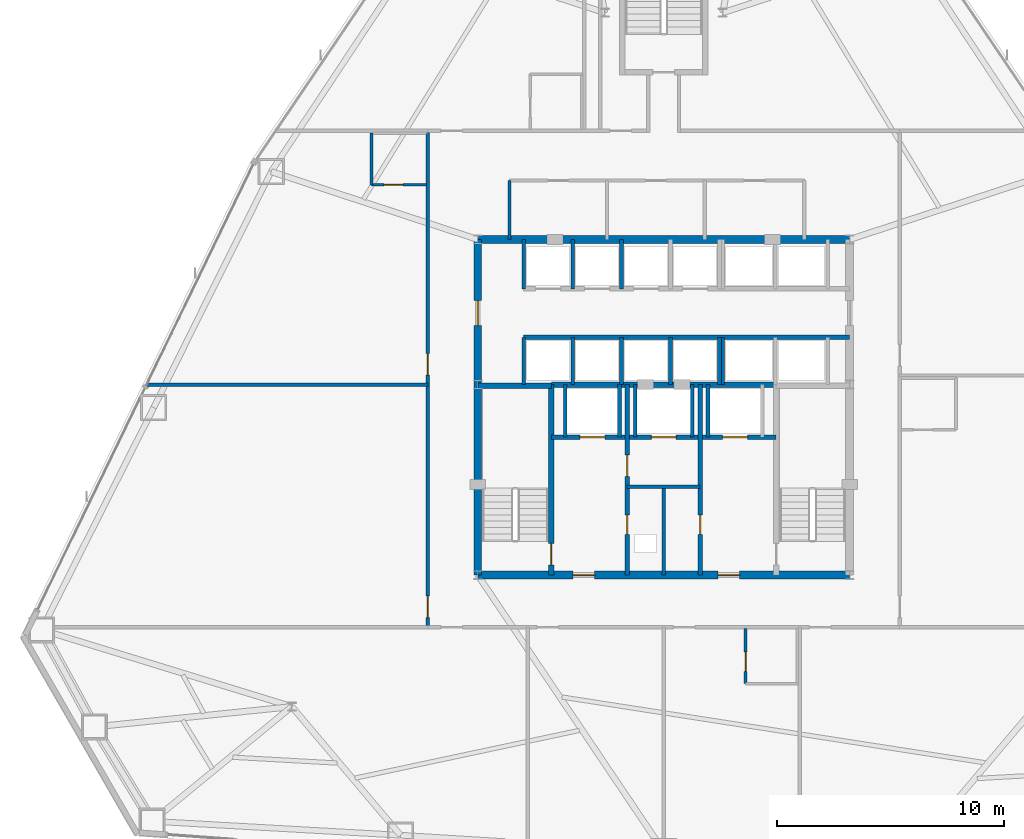
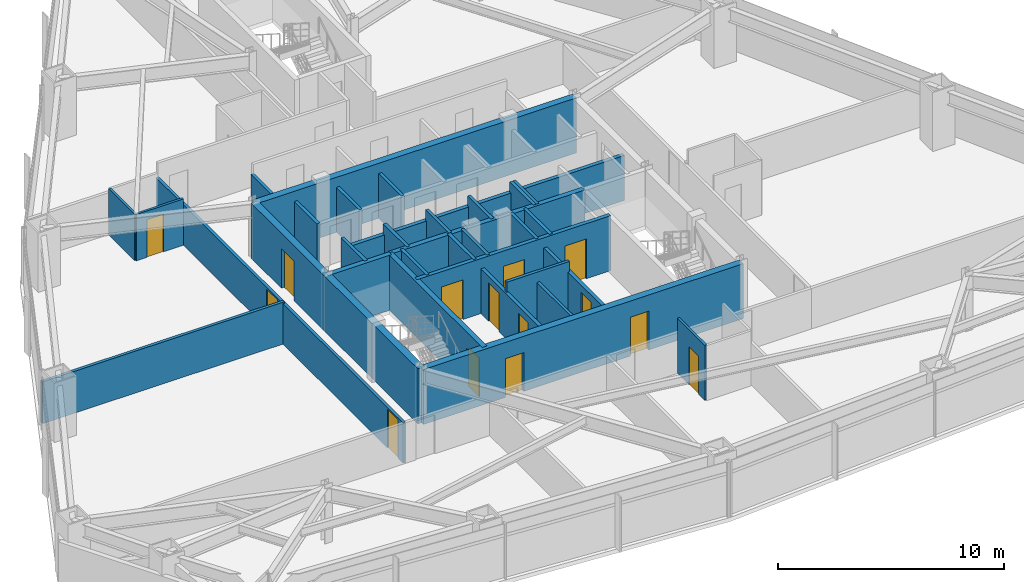
# One storey, part 9 of 12: 32 walls, 14 doors, 14 openings.
"""IFC4 building model written with IfcOpenShell, lengths in metres."""

from ifc_helpers import new_model, si_unit, direction, frame, frame_2d, origin, place, context, subcontext, project, spatial, rectangle, extrude, material, layer, layer_set, type_object, element, fill, save


model = new_model("IFC4")

# Units and contexts
model_context = context("Model", 3, precision=1e-05, world=origin(), true_north=direction((0.0, 1.0)))
body_context = subcontext(model_context, "Body", "Model", "MODEL_VIEW")
ifc_project = project(units=[si_unit("LENGTHUNIT", "METRE"), si_unit("AREAUNIT", "SQUARE_METRE"), si_unit("VOLUMEUNIT", "CUBIC_METRE"), si_unit("PLANEANGLEUNIT", "RADIAN"), si_unit("MASSUNIT", "GRAM", prefix="KILO")], contexts=[model_context])

# Site, building, storey
site_placement = place(None, origin())
site = spatial("IfcSite", under=ifc_project, at=site_placement, CompositionType="ELEMENT")
building_placement = place(site_placement, origin())
building = spatial("IfcBuilding", under=site, at=building_placement, Name="Varakhsha Concourse Tower", CompositionType="ELEMENT")
storey_placement = place(building_placement, frame((0.0, 0.0, 59.199951171875)))
storey = spatial("IfcBuildingStorey", under=building, at=storey_placement, Name="L16", CompositionType="ELEMENT", Elevation=59.199951171875)

# Wall, openings, doors
ifc_material_1 = material(Name="Concrete fc 65 MPa", Category="concrete")
ifc_layer_1 = layer(ifc_material_1, 0.35009765625, Name="WL-CORE-350")
ifc_layer_set_1 = layer_set([ifc_layer_1], Name="Concrete fc 65 MPa")
wall_type_1 = type_object("IfcWallType", Name="WL-CORE-350", PredefinedType="SHEAR", material=ifc_layer_set_1)
wall_1_placement = place(storey_placement, frame((31.800048828125, 16.39990234375, 0.0), z_axis=(0.0, 0.0, 1.0), x_axis=(1.0, 0.0, 0.0)))
wall_1 = element("IfcWall", 1, at=wall_1_placement, inside=storey, type_object=wall_type_1, Name="L16 Wall CWALL-S-L16", PredefinedType="SHEAR", context=body_context, shape_type="SweptSolid", body=[
    extrude(rectangle(XDim=16.39990234375, YDim=0.35009765625, at=frame_2d((8.199951171875, 0.0))), origin(), (0.0, 0.0, 1.0), 2.97998046875),
])
opening_1_placement = place(wall_1_placement, frame((4.199951171875, 0.0, 0.0)))
opening_1 = element("IfcOpeningElement", 2, at=opening_1_placement, cuts=wall_1, Name="Opening DF-05", PredefinedType="OPENING", context=body_context, shape_type="SweptSolid", body=[
    extrude(rectangle(XDim=0.949951171875, YDim=2.10009765625, at=frame_2d((0.47509765625, 1.050048828125))), frame((0.0, 0.18505859375, 0.0), z_axis=(0.0, -1.0, 0.0), x_axis=(1.0, 0.0, 0.0)), (0.0, 0.0, 1.0), 0.3701171875),
])
opening_2_placement = place(wall_1_placement, frame((10.60009765625, 0.0, 0.0)))
opening_2 = element("IfcOpeningElement", 3, at=opening_2_placement, cuts=wall_1, Name="Opening DF-05", PredefinedType="OPENING", context=body_context, shape_type="SweptSolid", body=[
    extrude(rectangle(XDim=0.949951171875, YDim=2.10009765625, at=frame_2d((0.47509765625, 1.050048828125))), frame((0.0, 0.18505859375, 0.0), z_axis=(0.0, -1.0, 0.0), x_axis=(1.0, 0.0, 0.0)), (0.0, 0.0, 1.0), 0.3701171875),
])
ifc_material_2 = material(Name="Hollow Galvanised Steel Fire Door Assembly", Category="steel")
door_type_1 = type_object("IfcDoorType", Name="DR-FD60-950", OperationType="NOTDEFINED", PredefinedType="DOOR", material=ifc_material_2)
door_1_placement = place(opening_1_placement, origin())
door_1 = element("IfcDoor", 4, at=door_1_placement, inside=storey, type_object=door_type_1, Name="L16 Firefighting Lobby West Door", OperationType="SINGLE_SWING_RIGHT", OverallHeight=2.10009765625, OverallWidth=0.949951171875, PredefinedType="DOOR", context=body_context, shape_type="SweptSolid", body=[
    extrude(rectangle(XDim=0.949951171875, YDim=2.10009765625, at=frame_2d((0.47509765625, 1.050048828125))), frame((0.0, 0.02490234375, 0.0), z_axis=(0.0, -1.0, 0.0), x_axis=(1.0, 0.0, 0.0)), (0.0, 0.0, 1.0), 0.050048828125),
])
fill(opening_1, door_1)
door_2_placement = place(opening_2_placement, origin())
door_2 = element("IfcDoor", 5, at=door_2_placement, inside=storey, type_object=door_type_1, Name="L16 Firefighting Lobby East Door", OperationType="SINGLE_SWING_LEFT", OverallHeight=2.10009765625, OverallWidth=0.949951171875, PredefinedType="DOOR", context=body_context, shape_type="SweptSolid", body=[
    extrude(rectangle(XDim=0.949951171875, YDim=2.10009765625, at=frame_2d((0.47509765625, 1.050048828125))), frame((0.0, 0.02490234375, 0.0), z_axis=(0.0, -1.0, 0.0), x_axis=(1.0, 0.0, 0.0)), (0.0, 0.0, 1.0), 0.050048828125),
])
fill(opening_2, door_2)

# Wall
wall_2_placement = place(storey_placement, frame((31.800048828125, 31.199951171875, 0.0), z_axis=(0.0, 0.0, 1.0), x_axis=(1.0, 0.0, 0.0)))
element("IfcWall", 6, at=wall_2_placement, inside=storey, type_object=wall_type_1, Name="L16 Wall CWALL-N-L16", PredefinedType="SHEAR", context=body_context, shape_type="SweptSolid", body=[
    extrude(rectangle(XDim=16.39990234375, YDim=0.35009765625, at=frame_2d((8.199951171875, 0.0))), origin(), (0.0, 0.0, 1.0), 2.97998046875),
])

# Wall, opening, door
wall_3_placement = place(storey_placement, frame((31.800048828125, 16.39990234375, 0.0), z_axis=(0.0, 0.0, 1.0), x_axis=(0.0, 1.0, 0.0)))
wall_3 = element("IfcWall", 7, at=wall_3_placement, inside=storey, type_object=wall_type_1, Name="L16 Wall CWALL-W-L16", PredefinedType="SHEAR", context=body_context, shape_type="SweptSolid", body=[
    extrude(rectangle(XDim=14.800048828125, YDim=0.35009765625, at=frame_2d((7.39990234375, 0.0))), origin(), (0.0, 0.0, 1.0), 2.97998046875),
])
opening_3_placement = place(wall_3_placement, frame((11.0, 0.0, 0.0)))
opening_3 = element("IfcOpeningElement", 8, at=opening_3_placement, cuts=wall_3, Name="Opening DL-01", PredefinedType="OPENING", context=body_context, shape_type="SweptSolid", body=[
    extrude(rectangle(XDim=1.10009765625, YDim=2.14990234375, at=frame_2d((0.550048828125, 1.074951171875))), frame((0.0, 0.18505859375, 0.0), z_axis=(0.0, -1.0, 0.0), x_axis=(1.0, 0.0, 0.0)), (0.0, 0.0, 1.0), 0.3701171875),
])
ifc_material_3 = material(Name="Anodised Bronze Architectural Aluminium AA 6063-T6", Category="aluminium")
door_type_2 = type_object("IfcDoorType", Name="DR-LOB-1100", OperationType="NOTDEFINED", PredefinedType="DOOR", material=ifc_material_3)
door_3_placement = place(opening_3_placement, origin())
door_3 = element("IfcDoor", 9, at=door_3_placement, inside=storey, type_object=door_type_2, Name="L16 Lift Lobby West Concourse Door", OperationType="SINGLE_SWING_LEFT", OverallHeight=2.14990234375, OverallWidth=1.10009765625, PredefinedType="DOOR", context=body_context, shape_type="SweptSolid", body=[
    extrude(rectangle(XDim=1.10009765625, YDim=2.14990234375, at=frame_2d((0.550048828125, 1.074951171875))), frame((0.0, 0.02490234375, 0.0), z_axis=(0.0, -1.0, 0.0), x_axis=(1.0, 0.0, 0.0)), (0.0, 0.0, 1.0), 0.050048828125),
])
fill(opening_3, door_3)

# Wall, openings, doors
ifc_material_4 = material(Name="Fire-Rated Type X Gypsum Partition Assembly", Category="gypsum")
ifc_layer_2 = layer(ifc_material_4, 0.179931640625, Name="WL-FFLOB-180")
ifc_layer_set_2 = layer_set([ifc_layer_2], Name="Fire-Rated Type X Gypsum Partition Assembly")
wall_type_2 = type_object("IfcWallType", Name="WL-FFLOB-180", PredefinedType="PARTITIONING", material=ifc_layer_set_2)
wall_4_placement = place(storey_placement, frame((38.389892578125, 16.39990234375, 0.0), z_axis=(0.0, 0.0, 1.0), x_axis=(0.0, 1.0, 0.0)))
wall_4 = element("IfcWall", 10, at=wall_4_placement, inside=storey, type_object=wall_type_2, Name="L16 Wall FFW-1E-L16", PredefinedType="PARTITIONING", context=body_context, shape_type="SweptSolid", body=[
    extrude(rectangle(XDim=8.400146484375, YDim=0.179931640625, at=frame_2d((4.2001953125, 0.0))), origin(), (0.0, 0.0, 1.0), 2.43115234375),
])
opening_4_placement = place(wall_4_placement, frame((1.800048828125, 0.0, 0.0)))
opening_4 = element("IfcOpeningElement", 11, at=opening_4_placement, cuts=wall_4, Name="Opening DF-07", PredefinedType="OPENING", context=body_context, shape_type="SweptSolid", body=[
    extrude(rectangle(XDim=0.85009765625, YDim=2.050048828125, at=frame_2d((0.425048828125, 1.02490234375))), frame((0.0, 0.099853515625, 0.0), z_axis=(0.0, -1.0, 0.0), x_axis=(1.0, 0.0, 0.0)), (0.0, 0.0, 1.0), 0.199951171875),
])
opening_5_placement = place(wall_4_placement, frame((4.35009765625, 0.0, 0.0)))
opening_5 = element("IfcOpeningElement", 12, at=opening_5_placement, cuts=wall_4, Name="Opening DF-05", PredefinedType="OPENING", context=body_context, shape_type="SweptSolid", body=[
    extrude(rectangle(XDim=0.949951171875, YDim=2.10009765625, at=frame_2d((0.47509765625, 1.050048828125))), frame((0.0, 0.099853515625, 0.0), z_axis=(0.0, -1.0, 0.0), x_axis=(1.0, 0.0, 0.0)), (0.0, 0.0, 1.0), 0.199951171875),
])
door_type_3 = type_object("IfcDoorType", Name="DR-FD60-850", OperationType="NOTDEFINED", PredefinedType="DOOR", material=ifc_material_2)
door_4_placement = place(opening_4_placement, origin())
door_4 = element("IfcDoor", 13, at=door_4_placement, inside=storey, type_object=door_type_3, Name="L16 Power Metering Closet Door", OperationType="SINGLE_SWING_LEFT", OverallHeight=2.050048828125, OverallWidth=0.85009765625, PredefinedType="DOOR", context=body_context, shape_type="SweptSolid", body=[
    extrude(rectangle(XDim=0.85009765625, YDim=2.050048828125, at=frame_2d((0.425048828125, 1.02490234375))), frame((0.0, 0.02490234375, 0.0), z_axis=(0.0, -1.0, 0.0), x_axis=(1.0, 0.0, 0.0)), (0.0, 0.0, 1.0), 0.050048828125),
])
fill(opening_4, door_4)
door_5_placement = place(opening_5_placement, origin())
door_5 = element("IfcDoor", 14, at=door_5_placement, inside=storey, type_object=door_type_1, Name="L16 Service Vestibule Door", OperationType="SINGLE_SWING_RIGHT", OverallHeight=2.10009765625, OverallWidth=0.949951171875, PredefinedType="DOOR", context=body_context, shape_type="SweptSolid", body=[
    extrude(rectangle(XDim=0.949951171875, YDim=2.10009765625, at=frame_2d((0.47509765625, 1.050048828125))), frame((0.0, 0.02490234375, 0.0), z_axis=(0.0, -1.0, 0.0), x_axis=(1.0, 0.0, 0.0)), (0.0, 0.0, 1.0), 0.050048828125),
])
fill(opening_5, door_5)

# Wall, opening, door
wall_5_placement = place(storey_placement, frame((41.610107421875, 16.39990234375, 0.0), z_axis=(0.0, 0.0, 1.0), x_axis=(0.0, 1.0, 0.0)))
wall_5 = element("IfcWall", 15, at=wall_5_placement, inside=storey, type_object=wall_type_2, Name="L16 Wall FFW-2W-L16", PredefinedType="PARTITIONING", context=body_context, shape_type="SweptSolid", body=[
    extrude(rectangle(XDim=8.400146484375, YDim=0.179931640625, at=frame_2d((4.2001953125, 0.0))), origin(), (0.0, 0.0, 1.0), 2.43115234375),
])
opening_6_placement = place(wall_5_placement, frame((1.800048828125, 0.0, 0.0)))
opening_6 = element("IfcOpeningElement", 16, at=opening_6_placement, cuts=wall_5, Name="Opening DF-07", PredefinedType="OPENING", context=body_context, shape_type="SweptSolid", body=[
    extrude(rectangle(XDim=0.85009765625, YDim=2.050048828125, at=frame_2d((0.425048828125, 1.02490234375))), frame((0.0, 0.099853515625, 0.0), z_axis=(0.0, -1.0, 0.0), x_axis=(1.0, 0.0, 0.0)), (0.0, 0.0, 1.0), 0.199951171875),
])
door_6_placement = place(opening_6_placement, origin())
door_6 = element("IfcDoor", 17, at=door_6_placement, inside=storey, type_object=door_type_3, Name="L16 BMS Control Closet Door", OperationType="SINGLE_SWING_RIGHT", OverallHeight=2.050048828125, OverallWidth=0.85009765625, PredefinedType="DOOR", context=body_context, shape_type="SweptSolid", body=[
    extrude(rectangle(XDim=0.85009765625, YDim=2.050048828125, at=frame_2d((0.425048828125, 1.02490234375))), frame((0.0, 0.02490234375, 0.0), z_axis=(0.0, -1.0, 0.0), x_axis=(1.0, 0.0, 0.0)), (0.0, 0.0, 1.0), 0.050048828125),
])
fill(opening_6, door_6)

ifc_material_5 = material(Name="Acoustic Gypsum Board Partition Assembly", Category="gypsum")
ifc_layer_3 = layer(ifc_material_5, 0.1201171875, Name="WL-PART-120")
ifc_layer_set_3 = layer_set([ifc_layer_3], Name="Acoustic Gypsum Board Partition Assembly")
wall_type_3 = type_object("IfcWallType", Name="WL-PART-120", PredefinedType="PARTITIONING", material=ifc_layer_set_3)
wall_6_placement = place(storey_placement, frame((43.610107421875, 11.610107421875, 0.0), z_axis=(0.0, 0.0, 1.0), x_axis=(0.0, 1.0, 0.0)))
wall_6 = element("IfcWall", 18, at=wall_6_placement, inside=storey, type_object=wall_type_3, Name="L16 Wall ENSW-W-L16-H03", PredefinedType="PARTITIONING", context=body_context, shape_type="SweptSolid", body=[
    extrude(rectangle(XDim=2.429931640625, YDim=0.1201171875, at=frame_2d((1.21484375, 0.0))), origin(), (0.0, 0.0, 1.0), 2.97998046875),
])
opening_7_placement = place(wall_6_placement, frame((0.550048828125, 0.0, 0.0)))
opening_7 = element("IfcOpeningElement", 19, at=opening_7_placement, cuts=wall_6, Name="Opening DI-01", PredefinedType="OPENING", context=body_context, shape_type="SweptSolid", body=[
    extrude(rectangle(XDim=0.85009765625, YDim=2.050048828125, at=frame_2d((0.425048828125, 1.02490234375))), frame((0.0, 0.070068359375, 0.0), z_axis=(0.0, -1.0, 0.0), x_axis=(1.0, 0.0, 0.0)), (0.0, 0.0, 1.0), 0.14013671875),
])
ifc_material_6 = material(Name="Architectural Walnut Acoustic Timber Door", Category="wood")
door_type_4 = type_object("IfcDoorType", Name="DR-INT-850", OperationType="NOTDEFINED", PredefinedType="DOOR", material=ifc_material_6)
door_7_placement = place(opening_7_placement, origin())
door_7 = element("IfcDoor", 20, at=door_7_placement, inside=storey, type_object=door_type_4, Name="L16 En-suite Bathroom Door L16-H03", OperationType="SINGLE_SWING_RIGHT", OverallHeight=2.050048828125, OverallWidth=0.85009765625, PredefinedType="DOOR", context=body_context, shape_type="SweptSolid", body=[
    extrude(rectangle(XDim=0.85009765625, YDim=2.050048828125, at=frame_2d((0.425048828125, 1.02490234375))), frame((0.0, 0.02490234375, 0.0), z_axis=(0.0, -1.0, 0.0), x_axis=(1.0, 0.0, 0.0)), (0.0, 0.0, 1.0), 0.050048828125),
])
fill(opening_7, door_7)

# Wall
wall_7_placement = place(storey_placement, frame((27.110107421875, 33.610107421875, 0.0), z_axis=(0.0, 0.0, 1.0), x_axis=(0.0, 1.0, 0.0)))
element("IfcWall", 21, at=wall_7_placement, inside=storey, type_object=wall_type_3, Name="L16 Wall ENSW-W-L16-H06", PredefinedType="PARTITIONING", context=body_context, shape_type="SweptSolid", body=[
    extrude(rectangle(XDim=2.27978515625, YDim=0.1201171875, at=frame_2d((1.139892578125, 0.0))), origin(), (0.0, 0.0, 1.0), 2.512939453125),
])

# Wall, opening, door
wall_8_placement = place(storey_placement, frame((27.110107421875, 33.610107421875, 0.0), z_axis=(0.0, 0.0, 1.0), x_axis=(1.0, 0.0, 0.0)))
wall_8 = element("IfcWall", 22, at=wall_8_placement, inside=storey, type_object=wall_type_3, Name="L16 Wall ENSW-S-L16-H06", PredefinedType="PARTITIONING", context=body_context, shape_type="SweptSolid", body=[
    extrude(rectangle(XDim=2.429931640625, YDim=0.1201171875, at=frame_2d((1.21484375, 0.0))), origin(), (0.0, 0.0, 1.0), 2.512939453125),
])
opening_8_placement = place(wall_8_placement, frame((0.550048828125, 0.0, 0.0)))
opening_8 = element("IfcOpeningElement", 23, at=opening_8_placement, cuts=wall_8, Name="Opening DI-01", PredefinedType="OPENING", context=body_context, shape_type="SweptSolid", body=[
    extrude(rectangle(XDim=0.85009765625, YDim=2.050048828125, at=frame_2d((0.425048828125, 1.02490234375))), frame((0.0, 0.070068359375, 0.0), z_axis=(0.0, -1.0, 0.0), x_axis=(1.0, 0.0, 0.0)), (0.0, 0.0, 1.0), 0.14013671875),
])
door_8_placement = place(opening_8_placement, origin())
door_8 = element("IfcDoor", 24, at=door_8_placement, inside=storey, type_object=door_type_4, Name="L16 En-suite Bathroom Door L16-H06", OperationType="SINGLE_SWING_RIGHT", OverallHeight=2.050048828125, OverallWidth=0.85009765625, PredefinedType="DOOR", context=body_context, shape_type="SweptSolid", body=[
    extrude(rectangle(XDim=0.85009765625, YDim=2.050048828125, at=frame_2d((0.425048828125, 1.02490234375))), frame((0.0, 0.02490234375, 0.0), z_axis=(0.0, -1.0, 0.0), x_axis=(1.0, 0.0, 0.0)), (0.0, 0.0, 1.0), 0.050048828125),
])
fill(opening_8, door_8)

# Walls
ifc_layer_4 = layer(ifc_material_4, 0.14990234375, Name="WL-PART-150")
ifc_layer_set_4 = layer_set([ifc_layer_4], Name="Fire-Rated Type X Gypsum Partition Assembly")
wall_type_4 = type_object("IfcWallType", Name="WL-PART-150", PredefinedType="PARTITIONING", material=ifc_layer_set_4)
wall_9_placement = place(storey_placement, frame((38.389892578125, 20.300048828125, 0.0), z_axis=(0.0, 0.0, 1.0), x_axis=(1.0, 0.0, 0.0)))
element("IfcWall", 25, at=wall_9_placement, inside=storey, type_object=wall_type_4, Name="L16 Wall RSW-TH-L16", PredefinedType="PARTITIONING", context=body_context, shape_type="SweptSolid", body=[
    extrude(rectangle(XDim=3.22021484375, YDim=0.14990234375, at=frame_2d((1.610107421875, 0.0))), origin(), (0.0, 0.0, 1.0), 2.97998046875),
])
wall_10_placement = place(storey_placement, frame((40.0, 16.39990234375, 0.0), z_axis=(0.0, 0.0, 1.0), x_axis=(0.0, 1.0, 0.0)))
element("IfcWall", 26, at=wall_10_placement, inside=storey, type_object=wall_type_4, Name="L16 Wall RSW-TV-L16", PredefinedType="PARTITIONING", context=body_context, shape_type="SweptSolid", body=[
    extrude(rectangle(XDim=3.900146484375, YDim=0.14990234375, at=frame_2d((1.9501953125, 0.0))), origin(), (0.0, 0.0, 1.0), 2.43115234375),
])
wall_11_placement = place(storey_placement, frame((33.199951171875, 31.199951171875, 0.0), z_axis=(0.0, 0.0, 1.0), x_axis=(0.0, 1.0, 0.0)))
element("IfcWall", 27, at=wall_11_placement, inside=storey, type_object=wall_type_4, Name="L16 Wall NBOH-W-L16", PredefinedType="PARTITIONING", context=body_context, shape_type="SweptSolid", body=[
    extrude(rectangle(XDim=2.60009765625, YDim=0.14990234375, at=frame_2d((1.300048828125, 0.0))), origin(), (0.0, 0.0, 1.0), 2.43115234375),
])

# Wall, openings, doors
wall_12_placement = place(storey_placement, frame((29.60009765625, 14.10009765625, 0.0), z_axis=(0.0, 0.0, 1.0), x_axis=(0.0, 1.0, 0.0)))
wall_12 = element("IfcWall", 28, at=wall_12_placement, inside=storey, type_object=wall_type_4, Name="L16 Wall CRW-W-L16", PredefinedType="PARTITIONING", context=body_context, shape_type="SweptSolid", body=[
    extrude(rectangle(XDim=21.89990234375, YDim=0.14990234375, at=frame_2d((10.949951171875, 0.0))), origin(), (0.0, 0.0, 1.0), 2.191162109375),
])
opening_9_placement = place(wall_12_placement, frame((0.419921875, 0.0, 0.0)))
opening_9 = element("IfcOpeningElement", 29, at=opening_9_placement, cuts=wall_12, Name="Opening DF-05", PredefinedType="OPENING", context=body_context, shape_type="SweptSolid", body=[
    extrude(rectangle(XDim=0.949951171875, YDim=2.10009765625, at=frame_2d((0.47509765625, 1.050048828125))), frame((0.0, 0.0849609375, 0.0), z_axis=(0.0, -1.0, 0.0), x_axis=(1.0, 0.0, 0.0)), (0.0, 0.0, 1.0), 0.169921875),
])
opening_10_placement = place(wall_12_placement, frame((11.1201171875, 0.0, 0.0)))
opening_10 = element("IfcOpeningElement", 30, at=opening_10_placement, cuts=wall_12, Name="Opening DF-05", PredefinedType="OPENING", context=body_context, shape_type="SweptSolid", body=[
    extrude(rectangle(XDim=0.949951171875, YDim=2.10009765625, at=frame_2d((0.47509765625, 1.050048828125))), frame((0.0, 0.0849609375, 0.0), z_axis=(0.0, -1.0, 0.0), x_axis=(1.0, 0.0, 0.0)), (0.0, 0.0, 1.0), 0.169921875),
])
door_9_placement = place(opening_9_placement, origin())
door_9 = element("IfcDoor", 31, at=door_9_placement, inside=storey, type_object=door_type_1, Name="L16 Hospitality Conservatory Lounge L16-H05 Door", OperationType="SINGLE_SWING_LEFT", OverallHeight=2.10009765625, OverallWidth=0.949951171875, PredefinedType="DOOR", context=body_context, shape_type="SweptSolid", body=[
    extrude(rectangle(XDim=0.949951171875, YDim=2.10009765625, at=frame_2d((0.47509765625, 1.050048828125))), frame((0.0, 0.02490234375, 0.0), z_axis=(0.0, -1.0, 0.0), x_axis=(1.0, 0.0, 0.0)), (0.0, 0.0, 1.0), 0.050048828125),
])
fill(opening_9, door_9)
door_10_placement = place(opening_10_placement, origin())
door_10 = element("IfcDoor", 32, at=door_10_placement, inside=storey, type_object=door_type_1, Name="L16 Hotel Corner Suite L16-H06 Entry Door", OperationType="SINGLE_SWING_RIGHT", OverallHeight=2.10009765625, OverallWidth=0.949951171875, PredefinedType="DOOR", context=body_context, shape_type="SweptSolid", body=[
    extrude(rectangle(XDim=0.949951171875, YDim=2.10009765625, at=frame_2d((0.47509765625, 1.050048828125))), frame((0.0, 0.02490234375, 0.0), z_axis=(0.0, -1.0, 0.0), x_axis=(1.0, 0.0, 0.0)), (0.0, 0.0, 1.0), 0.050048828125),
])
fill(opening_10, door_10)

# Wall
wall_13_placement = place(storey_placement, frame((17.206787109375, 24.800048828125, 0.0), z_axis=(0.0, 0.0, 1.0), x_axis=(1.0, 0.0, 0.0)))
element("IfcWall", 33, at=wall_13_placement, inside=storey, type_object=wall_type_4, Name="L16 Wall HDIV-W1-L16", PredefinedType="PARTITIONING", context=body_context, shape_type="SweptSolid", body=[
    extrude(rectangle(XDim=12.393310546875, YDim=0.14990234375, at=frame_2d((6.19677734375, 0.0))), origin(), (0.0, 0.0, 1.0), 2.26806640625),
])

# Wall, openings, doors
ifc_layer_5 = layer(ifc_material_4, 0.199951171875, Name="WL-SHAFT-220")
ifc_layer_set_5 = layer_set([ifc_layer_5], Name="Fire-Rated Type X Gypsum Partition Assembly")
wall_type_5 = type_object("IfcWallType", Name="WL-SHAFT-220", PredefinedType="SOLIDWALL", material=ifc_layer_set_5)
wall_14_placement = place(storey_placement, frame((35.044921875, 22.47998046875, 0.0), z_axis=(0.0, 0.0, 1.0), x_axis=(1.0, 0.0, 0.0)))
wall_14 = element("IfcWall", 34, at=wall_14_placement, inside=storey, type_object=wall_type_5, Name="L16 Wall FFW-NH-L16", PredefinedType="SOLIDWALL", context=body_context, shape_type="SweptSolid", body=[
    extrude(rectangle(XDim=9.91015625, YDim=0.199951171875, at=frame_2d((4.955078125, 0.0))), origin(), (0.0, 0.0, 1.0), 2.97998046875),
])
opening_11_placement = place(wall_14_placement, frame((1.2548828125, 0.0, 0.0)))
opening_11 = element("IfcOpeningElement", 35, at=opening_11_placement, cuts=wall_14, Name="Opening LD-FFL-1", PredefinedType="OPENING", context=body_context, shape_type="SweptSolid", body=[
    extrude(rectangle(XDim=1.10009765625, YDim=2.14990234375, at=frame_2d((0.550048828125, 1.074951171875))), frame((0.0, 0.10986328125, 0.0), z_axis=(0.0, -1.0, 0.0), x_axis=(1.0, 0.0, 0.0)), (0.0, 0.0, 1.0), 0.219970703125),
])
opening_12_placement = place(wall_14_placement, frame((7.554931640625, 0.0, 0.0)))
opening_12 = element("IfcOpeningElement", 36, at=opening_12_placement, cuts=wall_14, Name="Opening LD-FFL-2", PredefinedType="OPENING", context=body_context, shape_type="SweptSolid", body=[
    extrude(rectangle(XDim=1.10009765625, YDim=2.14990234375, at=frame_2d((0.550048828125, 1.074951171875))), frame((0.0, 0.10986328125, 0.0), z_axis=(0.0, -1.0, 0.0), x_axis=(1.0, 0.0, 0.0)), (0.0, 0.0, 1.0), 0.219970703125),
])
opening_13_placement = place(wall_14_placement, frame((4.405029296875, 0.0, 0.0)))
opening_13 = element("IfcOpeningElement", 37, at=opening_13_placement, cuts=wall_14, Name="Opening LD-SVL-1", PredefinedType="OPENING", context=body_context, shape_type="SweptSolid", body=[
    extrude(rectangle(XDim=1.10009765625, YDim=2.14990234375, at=frame_2d((0.550048828125, 1.074951171875))), frame((0.0, 0.10986328125, 0.0), z_axis=(0.0, -1.0, 0.0), x_axis=(1.0, 0.0, 0.0)), (0.0, 0.0, 1.0), 0.219970703125),
])
ifc_material_7 = material(Name="Brushed Austenitic Stainless Steel AISI 316", Category="steel")
door_type_5 = type_object("IfcDoorType", Name="DR-LD-1100", OperationType="DOUBLE_DOOR_SLIDING", PredefinedType="DOOR", material=ifc_material_7)
door_11_placement = place(opening_11_placement, origin())
door_11 = element("IfcDoor", 38, at=door_11_placement, inside=storey, type_object=door_type_5, Name="Lift Landing Door FFL-1 L16", OperationType="DOUBLE_DOOR_SLIDING", OverallHeight=2.14990234375, OverallWidth=1.10009765625, PredefinedType="DOOR", context=body_context, shape_type="SweptSolid", body=[
    extrude(rectangle(XDim=1.10009765625, YDim=2.14990234375, at=frame_2d((0.550048828125, 1.074951171875))), frame((0.0, 0.02490234375, 0.0), z_axis=(0.0, -1.0, 0.0), x_axis=(1.0, 0.0, 0.0)), (0.0, 0.0, 1.0), 0.050048828125),
])
fill(opening_11, door_11)
door_12_placement = place(opening_12_placement, origin())
door_12 = element("IfcDoor", 39, at=door_12_placement, inside=storey, type_object=door_type_5, Name="Lift Landing Door FFL-2 L16", OperationType="DOUBLE_DOOR_SLIDING", OverallHeight=2.14990234375, OverallWidth=1.10009765625, PredefinedType="DOOR", context=body_context, shape_type="SweptSolid", body=[
    extrude(rectangle(XDim=1.10009765625, YDim=2.14990234375, at=frame_2d((0.550048828125, 1.074951171875))), frame((0.0, 0.02490234375, 0.0), z_axis=(0.0, -1.0, 0.0), x_axis=(1.0, 0.0, 0.0)), (0.0, 0.0, 1.0), 0.050048828125),
])
fill(opening_12, door_12)
door_13_placement = place(opening_13_placement, origin())
door_13 = element("IfcDoor", 40, at=door_13_placement, inside=storey, type_object=door_type_5, Name="Lift Landing Door SVL-1 L16", OperationType="DOUBLE_DOOR_SLIDING", OverallHeight=2.14990234375, OverallWidth=1.10009765625, PredefinedType="DOOR", context=body_context, shape_type="SweptSolid", body=[
    extrude(rectangle(XDim=1.10009765625, YDim=2.14990234375, at=frame_2d((0.550048828125, 1.074951171875))), frame((0.0, 0.02490234375, 0.0), z_axis=(0.0, -1.0, 0.0), x_axis=(1.0, 0.0, 0.0)), (0.0, 0.0, 1.0), 0.050048828125),
])
fill(opening_13, door_13)

# Walls
for number, where, z_axis, x_axis, name in (
    (41, (35.64990234375, 22.47998046875, 0.0), (0.0, 0.0, 1.0), (0.0, 1.0, 0.0), "L16 Wall SHW-FFL-1-W-L16"),
    (42, (38.050048828125, 22.47998046875, 0.0), (0.0, 0.0, 1.0), (0.0, 1.0, 0.0), "L16 Wall SHW-FFL-1-E-L16"),
    (43, (41.949951171875, 22.47998046875, 0.0), (0.0, 0.0, 1.0), (0.0, 1.0, 0.0), "L16 Wall SHW-FFL-2-W-L16"),
    (44, (38.75, 22.47998046875, 0.0), (0.0, 0.0, 1.0), (0.0, 1.0, 0.0), "L16 Wall SHW-SVL-1-W-L16"),
    (45, (41.25, 22.47998046875, 0.0), (0.0, 0.0, 1.0), (0.0, 1.0, 0.0), "L16 Wall SHW-SVL-1-E-L16"),
):
    element("IfcWall", number, at=place(storey_placement, frame(where, z_axis=z_axis, x_axis=x_axis)), inside=storey, type_object=wall_type_5, Name=name, PredefinedType="SOLIDWALL", context=body_context, shape_type="SweptSolid", body=[
        extrude(rectangle(XDim=2.320068359375, YDim=0.159912109375, at=frame_2d((1.16015625, 0.0))), origin(), (0.0, 0.0, 1.0), 2.97998046875),
    ])
wall_15_placement = place(storey_placement, frame((33.820068359375, 26.8798828125, 0.0), z_axis=(0.0, 0.0, 1.0), x_axis=(1.0, 0.0, 0.0)))
element("IfcWall", 46, at=wall_15_placement, inside=storey, type_object=wall_type_5, Name="L16 Wall PLW-S-L16", PredefinedType="SOLIDWALL", context=body_context, shape_type="SweptSolid", body=[
    extrude(rectangle(XDim=14.3798828125, YDim=0.199951171875, at=frame_2d((7.18994140625, 0.0))), origin(), (0.0, 0.0, 1.0), 2.43115234375),
])
wall_16_placement = place(storey_placement, frame((33.820068359375, 29.02001953125, 0.0), z_axis=(0.0, 0.0, 1.0), x_axis=(0.0, 1.0, 0.0)))
element("IfcWall", 47, at=wall_16_placement, inside=storey, type_object=wall_type_5, Name="L16 Wall WBOH-E1-L16", PredefinedType="SOLIDWALL", context=body_context, shape_type="SweptSolid", body=[
    extrude(rectangle(XDim=2.179931640625, YDim=0.159912109375, at=frame_2d((1.08984375, 0.0))), origin(), (0.0, 0.0, 1.0), 2.43115234375),
])
wall_17_placement = place(storey_placement, frame((33.820068359375, 24.800048828125, 0.0), z_axis=(0.0, 0.0, 1.0), x_axis=(0.0, 1.0, 0.0)))
element("IfcWall", 48, at=wall_17_placement, inside=storey, type_object=wall_type_5, Name="L16 Wall WBOH-E2-L16", PredefinedType="SOLIDWALL", context=body_context, shape_type="SweptSolid", body=[
    extrude(rectangle(XDim=2.079833984375, YDim=0.159912109375, at=frame_2d((1.0400390625, 0.0))), origin(), (0.0, 0.0, 1.0), 2.97998046875),
])
for number, where, z_axis, x_axis, name in (
    (49, (35.97998046875, 29.02001953125, 0.0), (0.0, 0.0, 1.0), (0.0, 1.0, 0.0), "L16 Wall SHW-LF-P01-E-L16"),
    (50, (38.139892578125, 29.02001953125, 0.0), (0.0, 0.0, 1.0), (0.0, 1.0, 0.0), "L16 Wall SHW-LF-P02-E-L16"),
):
    element("IfcWall", number, at=place(storey_placement, frame(where, z_axis=z_axis, x_axis=x_axis)), inside=storey, type_object=wall_type_5, Name=name, PredefinedType="SOLIDWALL", context=body_context, shape_type="SweptSolid", body=[
        extrude(rectangle(XDim=2.179931640625, YDim=0.159912109375, at=frame_2d((1.08984375, 0.0))), origin(), (0.0, 0.0, 1.0), 2.43115234375),
    ])
for number, where, z_axis, x_axis, name in (
    (51, (35.97998046875, 24.800048828125, 0.0), (0.0, 0.0, 1.0), (0.0, 1.0, 0.0), "L16 Wall SHW-LF-P05-E-L16"),
    (52, (38.139892578125, 24.800048828125, 0.0), (0.0, 0.0, 1.0), (0.0, 1.0, 0.0), "L16 Wall SHW-LF-P06-E-L16"),
    (53, (40.300048828125, 24.800048828125, 0.0), (0.0, 0.0, 1.0), (0.0, 1.0, 0.0), "L16 Wall SHW-LF-P07-E-L16"),
    (54, (42.4599609375, 24.800048828125, 0.0), (0.0, 0.0, 1.0), (0.0, 1.0, 0.0), "L16 Wall SHW-LF-P08-E-L16"),
    (55, (42.60009765625, 24.800048828125, 0.0), (0.0, 0.0, 1.0), (0.0, 1.0, 0.0), "L16 Wall SHW-LF-P11-W-L16"),
):
    element("IfcWall", number, at=place(storey_placement, frame(where, z_axis=z_axis, x_axis=x_axis)), inside=storey, type_object=wall_type_5, Name=name, PredefinedType="SOLIDWALL", context=body_context, shape_type="SweptSolid", body=[
        extrude(rectangle(XDim=2.079833984375, YDim=0.159912109375, at=frame_2d((1.0400390625, 0.0))), origin(), (0.0, 0.0, 1.0), 2.97998046875),
    ])

# Wall, opening, door
ifc_material_8 = material(Name="Concrete fc 45 MPa", Category="concrete")
ifc_layer_6 = layer(ifc_material_8, 0.25, Name="WL-STAIR-250")
ifc_layer_set_6 = layer_set([ifc_layer_6], Name="Concrete fc 45 MPa")
wall_type_6 = type_object("IfcWallType", Name="WL-STAIR-250", PredefinedType="SHEAR", material=ifc_layer_set_6)
wall_18_placement = place(storey_placement, frame((35.044921875, 16.39990234375, 0.0), z_axis=(0.0, 0.0, 1.0), x_axis=(0.0, 1.0, 0.0)))
wall_18 = element("IfcWall", 56, at=wall_18_placement, inside=storey, type_object=wall_type_6, Name="L16 Wall SWALL-ST1-E-L16", PredefinedType="SHEAR", context=body_context, shape_type="SweptSolid", body=[
    extrude(rectangle(XDim=8.400146484375, YDim=0.25, at=frame_2d((4.2001953125, 0.0))), origin(), (0.0, 0.0, 1.0), 2.97998046875),
])
opening_14_placement = place(wall_18_placement, frame((0.449951171875, 0.0, 0.0)))
opening_14 = element("IfcOpeningElement", 57, at=opening_14_placement, cuts=wall_18, Name="Opening DF-03", PredefinedType="OPENING", context=body_context, shape_type="SweptSolid", body=[
    extrude(rectangle(XDim=0.949951171875, YDim=2.10009765625, at=frame_2d((0.47509765625, 1.050048828125))), frame((0.0, 0.135009765625, 0.0), z_axis=(0.0, -1.0, 0.0), x_axis=(1.0, 0.0, 0.0)), (0.0, 0.0, 1.0), 0.27001953125),
])
door_type_6 = type_object("IfcDoorType", Name="DR-FD90-950", OperationType="NOTDEFINED", PredefinedType="DOOR", material=ifc_material_2)
door_14_placement = place(opening_14_placement, origin())
door_14 = element("IfcDoor", 58, at=door_14_placement, inside=storey, type_object=door_type_6, Name="L16 Stair ST1 Fire Door", OperationType="SINGLE_SWING_LEFT", OverallHeight=2.10009765625, OverallWidth=0.949951171875, PredefinedType="DOOR", context=body_context, shape_type="SweptSolid", body=[
    extrude(rectangle(XDim=0.949951171875, YDim=2.10009765625, at=frame_2d((0.47509765625, 1.050048828125))), frame((0.0, 0.02490234375, 0.0), z_axis=(0.0, -1.0, 0.0), x_axis=(1.0, 0.0, 0.0)), (0.0, 0.0, 1.0), 0.050048828125),
])
fill(opening_14, door_14)

# Walls
wall_19_placement = place(storey_placement, frame((31.800048828125, 24.7548828125, 0.0), z_axis=(0.0, 0.0, 1.0), x_axis=(1.0, 0.0, 0.0)))
element("IfcWall", 59, at=wall_19_placement, inside=storey, type_object=wall_type_6, Name="L16 Wall SWALL-ST1-N-L16", PredefinedType="SHEAR", context=body_context, shape_type="SweptSolid", body=[
    extrude(rectangle(XDim=3.244873046875, YDim=0.25, at=frame_2d((1.62255859375, 0.0))), origin(), (0.0, 0.0, 1.0), 2.97998046875),
])
wall_20_placement = place(storey_placement, frame((35.044921875, 24.800048828125, 0.0), z_axis=(0.0, 0.0, 1.0), x_axis=(1.0, 0.0, 0.0)))
element("IfcWall", 60, at=wall_20_placement, inside=storey, type_object=wall_type_6, Name="L16 Wall SWALL-MID-H-L16", PredefinedType="SHEAR", context=body_context, shape_type="SweptSolid", body=[
    extrude(rectangle(XDim=9.91015625, YDim=0.25, at=frame_2d((4.955078125, 0.0))), origin(), (0.0, 0.0, 1.0), 2.97998046875),
])

save(model, "model.ifc")
